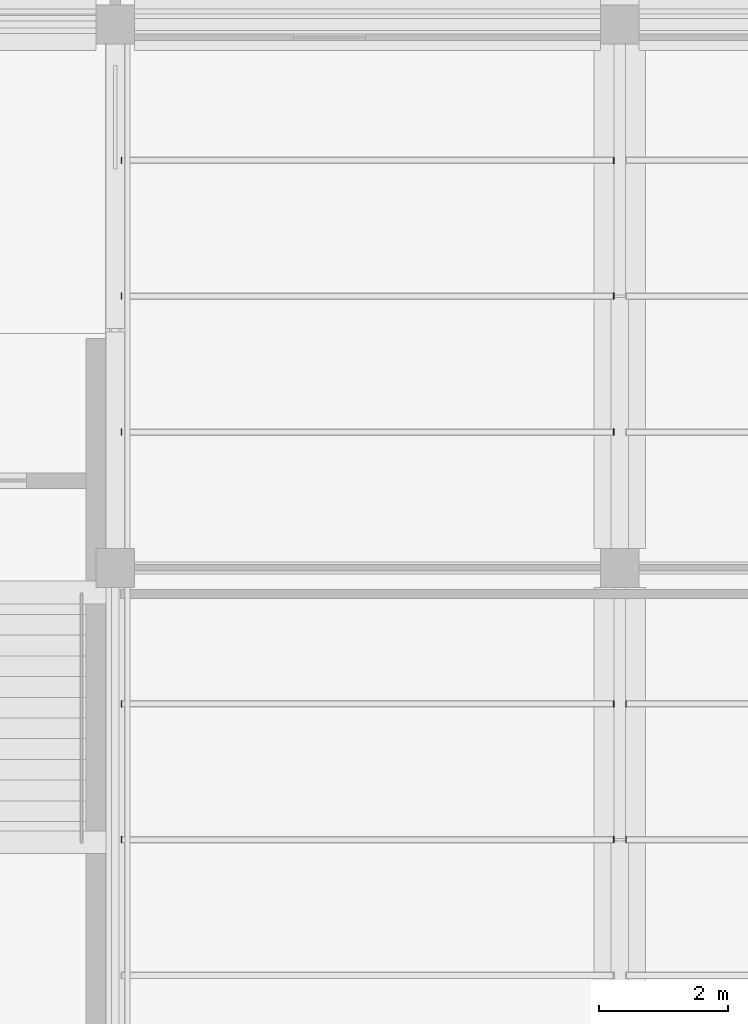
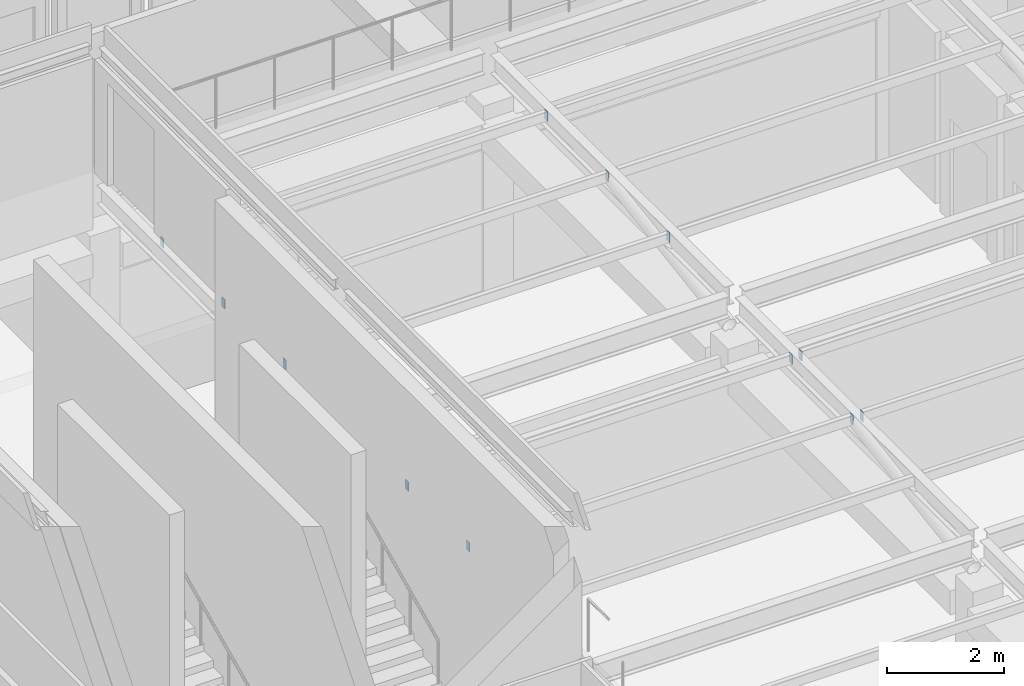
# One storey, part 9 of 20: 12 plates.
"""IFC4 building model written with IfcOpenShell, lengths in metres."""

from ifc_helpers import new_model, si_unit, direction, frame, origin, origin_2d, place, context, subcontext, project, spatial, rectangle, extrude, material, layer, layer_set, type_object, element, save


model = new_model("IFC4")

# Units and contexts
model_context = context("Model", 3, precision=1e-05, world=origin(), true_north=direction((0.0, 1.0)))
body_context = subcontext(model_context, "Body", "Model", "MODEL_VIEW")
ifc_project = project(units=[si_unit("LENGTHUNIT", "METRE"), si_unit("AREAUNIT", "SQUARE_METRE"), si_unit("VOLUMEUNIT", "CUBIC_METRE"), si_unit("PLANEANGLEUNIT", "RADIAN"), si_unit("MASSUNIT", "GRAM", prefix="KILO"), si_unit("THERMODYNAMICTEMPERATUREUNIT", "KELVIN"), si_unit("POWERUNIT", "WATT")], contexts=[model_context])

# Site, building, storey
site_placement = place(None, origin())
site = spatial("IfcSite", under=ifc_project, at=site_placement, CompositionType="ELEMENT")
building_placement = place(site_placement, origin())
building = spatial("IfcBuilding", under=site, at=building_placement, Name="Srebrne Nadtorze General Hospital", CompositionType="ELEMENT")
storey_placement = place(building_placement, frame((0.0, 0.0, 33.89990234375)))
storey = spatial("IfcBuildingStorey", under=building, at=storey_placement, Name="L08", CompositionType="ELEMENT", Elevation=33.89990234375)

# Plates
ifc_material = material(Name="Steel S355J2", Category="steel")
ifc_layer = layer(ifc_material, 0.011962890625)
ifc_layer_set = layer_set([ifc_layer], Name="Steel S355J2")
plate_type = type_object("IfcPlateType", Name="Steel bearing plate 12", PredefinedType="SHEET", material=ifc_layer_set)
for number, where, z_axis, x_axis, name in (
    (1, (31.2958984375, 63.0, 4.64013671875), (0.0, 0.0, 1.0), (1.0, 0.0, 0.0), "Helipad deck purlin end plate 5-1"),
    (2, (38.904052734375, 63.0, 4.64013671875), (0.0, 0.0, 1.0), (1.0, 0.0, 0.0), "Helipad deck purlin end plate 5-2"),
    (3, (31.2958984375, 65.10009765625, 4.64013671875), (0.0, 0.0, 1.0), (1.0, 0.0, 0.0), "Helipad deck purlin end plate 6-1"),
    (4, (38.904052734375, 65.10009765625, 4.64013671875), (0.0, 0.0, 1.0), (1.0, 0.0, 0.0), "Helipad deck purlin end plate 6-2"),
    (5, (31.2958984375, 69.300048828125, 4.64013671875), (0.0, 0.0, 1.0), (1.0, 0.0, 0.0), "Helipad deck purlin end plate 7-1"),
    (6, (38.904052734375, 69.300048828125, 4.64013671875), (0.0, 0.0, 1.0), (1.0, 0.0, 0.0), "Helipad deck purlin end plate 7-2"),
    (7, (31.2958984375, 71.39990234375, 4.64013671875), (0.0, 0.0, 1.0), (1.0, 0.0, 0.0), "Helipad deck purlin end plate 8-1"),
    (8, (38.904052734375, 71.39990234375, 4.64013671875), (0.0, 0.0, 1.0), (1.0, 0.0, 0.0), "Helipad deck purlin end plate 8-2"),
    (9, (31.2958984375, 73.5, 4.64013671875), (0.0, 0.0, 1.0), (1.0, 0.0, 0.0), "Helipad deck purlin end plate 9-1"),
    (10, (38.904052734375, 73.5, 4.64013671875), (0.0, 0.0, 1.0), (1.0, 0.0, 0.0), "Helipad deck purlin end plate 9-2"),
    (11, (39.095947265625, 63.0, 4.64013671875), (0.0, 0.0, 1.0), (1.0, 0.0, 0.0), "Helipad deck purlin end plate 14-1"),
    (12, (39.095947265625, 65.10009765625, 4.64013671875), (0.0, 0.0, 1.0), (1.0, 0.0, 0.0), "Helipad deck purlin end plate 15-1"),
):
    element("IfcPlate", number, at=place(storey_placement, frame(where, z_axis=z_axis, x_axis=x_axis)), inside=storey, type_object=plate_type, Name=name, PredefinedType="SHEET", context=body_context, shape_type="SweptSolid", body=[
        extrude(rectangle(XDim=0.011962890625, YDim=0.10009765625, at=origin_2d()), origin(), (0.0, 0.0, 1.0), 0.199951171875),
    ])

save(model, "model.ifc")
